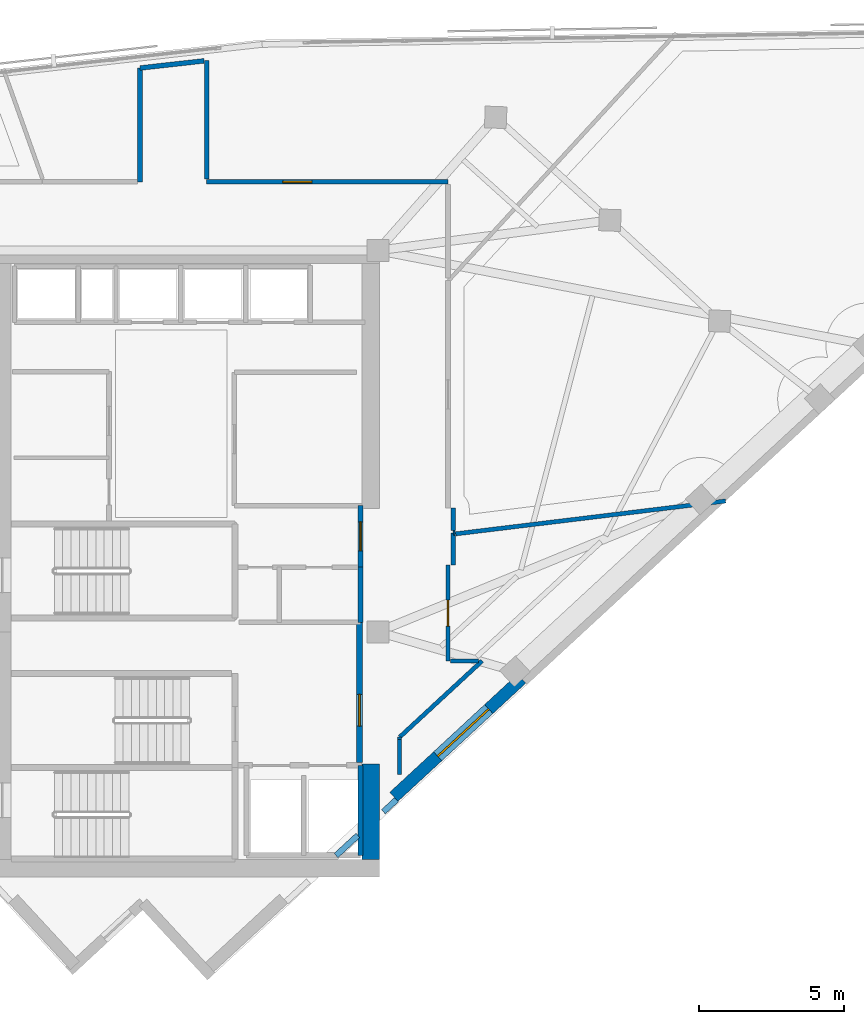
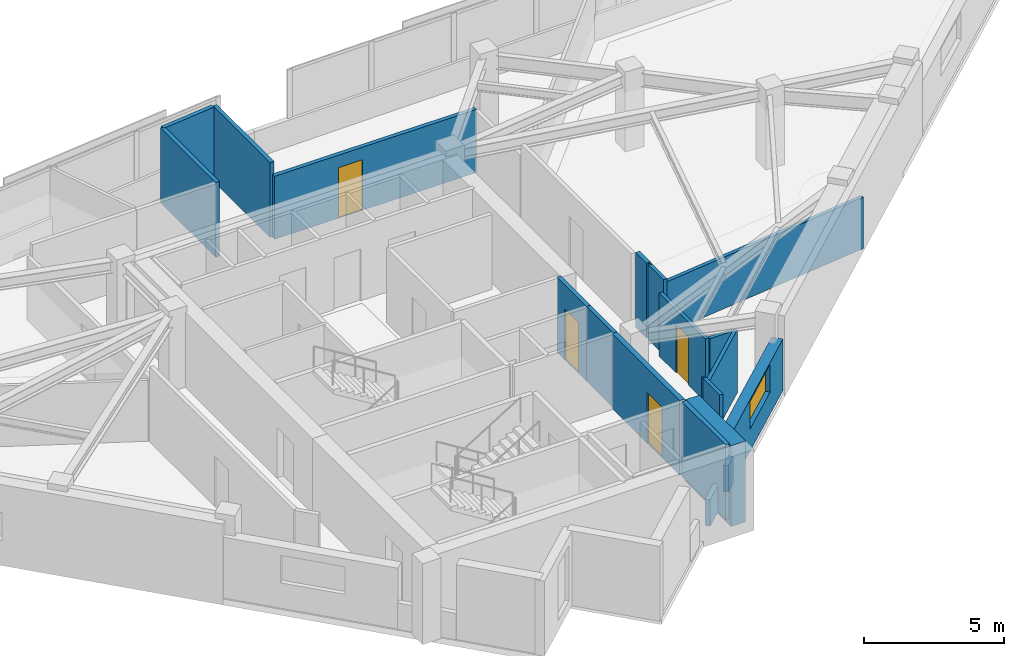
# One storey, part 9 of 12: 21 walls, 4 doors, 1 window, 5 openings.
"""IFC4 building model written with IfcOpenShell, lengths in metres."""

from ifc_helpers import new_model, si_unit, direction, frame, frame_2d, origin, place, context, subcontext, project, spatial, rectangle, extrude, material, layer, layer_set, type_object, element, fill, save


model = new_model("IFC4")

# Units and contexts
model_context = context("Model", 3, precision=1e-05, world=origin(), true_north=direction((0.0, 1.0)))
body_context = subcontext(model_context, "Body", "Model", "MODEL_VIEW")
ifc_project = project(units=[si_unit("LENGTHUNIT", "METRE"), si_unit("AREAUNIT", "SQUARE_METRE"), si_unit("VOLUMEUNIT", "CUBIC_METRE"), si_unit("PLANEANGLEUNIT", "RADIAN"), si_unit("MASSUNIT", "GRAM", prefix="KILO")], contexts=[model_context])

# Site, building, storey
site_placement = place(None, origin())
site = spatial("IfcSite", under=ifc_project, at=site_placement, CompositionType="ELEMENT")
building_placement = place(site_placement, origin())
building = spatial("IfcBuilding", under=site, at=building_placement, Name="Narakoshi Arena Tower", CompositionType="ELEMENT")
storey_placement = place(building_placement, frame((0.0, 0.0, 267.780029296875)))
storey = spatial("IfcBuildingStorey", under=building, at=storey_placement, Name="L73", CompositionType="ELEMENT", Elevation=267.780029296875)

# Wall
ifc_material_1 = material(Name="Concrete C50/60", Category="concrete")
ifc_layer_1 = layer(ifc_material_1, 0.60009765625)
ifc_layer_set_1 = layer_set([ifc_layer_1], Name="Concrete C50/60")
wall_type_1 = type_object("IfcWallType", Name="WL-CORE-600", PredefinedType="SHEAR", material=ifc_layer_set_1)
wall_1_placement = place(storey_placement, frame((85.300048828125, 35.5, -0.260009765625), z_axis=(0.0, 0.0, 1.0), x_axis=(0.0, 1.0, 0.0)))
element("IfcWall", 1, at=wall_1_placement, inside=storey, type_object=wall_type_1, Name="L73 Central Core Shear Wall CW-APX-E", PredefinedType="SHEAR", context=body_context, shape_type="SweptSolid", body=[
    extrude(rectangle(XDim=3.300048828125, YDim=0.60009765625, at=frame_2d((1.64990234375, 0.0))), origin(), (0.0, 0.0, 1.0), 3.52001953125),
])

# Wall, opening, door
ifc_material_2 = material(Name="Gypsum plasterboard fire-rated partition")
ifc_layer_2 = layer(ifc_material_2, 0.1650390625)
ifc_layer_set_2 = layer_set([ifc_layer_2], Name="Gypsum plasterboard fire-rated partition")
wall_type_2 = type_object("IfcWallType", Name="WL-CORR-165", PredefinedType="PARTITIONING", material=ifc_layer_set_2)
wall_2_placement = place(storey_placement, frame((84.949951171875, 45.580078125, 0.0), z_axis=(0.0, 0.0, 1.0), x_axis=(0.0, 1.0, 0.0)))
wall_2 = element("IfcWall", 2, at=wall_2_placement, inside=storey, type_object=wall_type_2, Name="L73 Core Wall CPAS-E", PredefinedType="PARTITIONING", context=body_context, shape_type="SweptSolid", body=[
    extrude(rectangle(XDim=2.119873046875, YDim=0.1650390625, at=frame_2d((1.06005859375, 0.0))), origin(), (0.0, 0.0, 1.0), 3.260009765625),
])
opening_1_placement = place(wall_2_placement, frame((0.56005859375, 0.0, 0.0)))
opening_1 = element("IfcOpeningElement", 3, at=opening_1_placement, cuts=wall_2, Name="Opening D-06", PredefinedType="OPENING", context=body_context, shape_type="SweptSolid", body=[
    extrude(rectangle(XDim=1.0, YDim=2.199951171875, at=frame_2d((0.5, 1.10009765625))), frame((0.0, 0.092529296875, 0.0), z_axis=(0.0, -1.0, 0.0), x_axis=(1.0, 0.0, 0.0)), (0.0, 0.0, 1.0), 0.18505859375),
])
ifc_material_3 = material(Name="Stained oak solid-core timber", Category="wood")
door_type_1 = type_object("IfcDoorType", Name="DR-OFF-1000", OperationType="NOTDEFINED", PredefinedType="DOOR", material=ifc_material_3)
door_1_placement = place(opening_1_placement, frame((1.0, 0.0, 0.0), z_axis=(0.0, 0.0, 1.0), x_axis=(-1.0, 0.0, 0.0)))
door_1 = element("IfcDoor", 4, at=door_1_placement, inside=storey, type_object=door_type_1, Name="DR-L73-007", OperationType="SINGLE_SWING_LEFT", OverallHeight=2.199951171875, OverallWidth=1.0, PredefinedType="DOOR", context=body_context, shape_type="SweptSolid", body=[
    extrude(rectangle(XDim=1.0, YDim=2.199951171875, at=frame_2d((0.5, 1.10009765625))), frame((0.0, 0.02490234375, 0.0), z_axis=(0.0, -1.0, 0.0), x_axis=(1.0, 0.0, 0.0)), (0.0, 0.0, 1.0), 0.050048828125),
])
fill(opening_1, door_1)

# Wall
wall_3_placement = place(storey_placement, frame((88.14990234375, 46.84130859375, 0.0), z_axis=(0.0, 0.0, 1.0), x_axis=(0.0, 1.0, 0.0)))
element("IfcWall", 5, at=wall_3_placement, inside=storey, type_object=wall_type_2, Name="L73 Corridor Partition 02-2", PredefinedType="PARTITIONING", context=body_context, shape_type="SweptSolid", body=[
    extrude(rectangle(XDim=0.77880859375, YDim=0.1650390625, at=frame_2d((0.389404296875, 0.0))), origin(), (0.0, 0.0, 1.0), 3.260009765625),
])

# Wall, opening, door
wall_4_placement = place(storey_placement, frame((87.966796875, 58.86669921875, 0.0), z_axis=(0.0, 0.0, 1.0), x_axis=(-1.0, 0.0, 0.0)))
wall_4 = element("IfcWall", 6, at=wall_4_placement, inside=storey, type_object=wall_type_2, Name="L73 Corridor Partition 03-1", PredefinedType="PARTITIONING", context=body_context, shape_type="SweptSolid", body=[
    extrude(rectangle(XDim=8.31689453125, YDim=0.1650390625, at=frame_2d((4.158447265625, 0.0))), origin(), (0.0, 0.0, 1.0), 2.744873046875),
])
opening_2_placement = place(wall_4_placement, frame((4.69580078125, 0.0, 0.0)))
opening_2 = element("IfcOpeningElement", 7, at=opening_2_placement, cuts=wall_4, Name="Opening D-06", PredefinedType="OPENING", context=body_context, shape_type="SweptSolid", body=[
    extrude(rectangle(XDim=1.0, YDim=2.199951171875, at=frame_2d((0.5, 1.10009765625))), frame((0.0, 0.092529296875, 0.0), z_axis=(0.0, -1.0, 0.0), x_axis=(1.0, 0.0, 0.0)), (0.0, 0.0, 1.0), 0.18505859375),
])
door_2_placement = place(opening_2_placement, frame((1.0, 0.0, 0.0), z_axis=(0.0, 0.0, 1.0), x_axis=(-1.0, 0.0, 0.0)))
door_2 = element("IfcDoor", 8, at=door_2_placement, inside=storey, type_object=door_type_1, Name="DR-L73-018", OperationType="SINGLE_SWING_LEFT", OverallHeight=2.199951171875, OverallWidth=1.0, PredefinedType="DOOR", context=body_context, shape_type="SweptSolid", body=[
    extrude(rectangle(XDim=1.0, YDim=2.199951171875, at=frame_2d((0.5, 1.10009765625))), frame((0.0, 0.02490234375, 0.0), z_axis=(0.0, -1.0, 0.0), x_axis=(1.0, 0.0, 0.0)), (0.0, 0.0, 1.0), 0.050048828125),
])
fill(opening_2, door_2)

# Walls
wall_5_placement = place(storey_placement, frame((79.64990234375, 58.961181640625, 0.0), z_axis=(0.0, 0.0, 1.0), x_axis=(0.0, 1.0, 0.0)))
element("IfcWall", 9, at=wall_5_placement, inside=storey, type_object=wall_type_2, Name="L73 Corridor Partition 03-2", PredefinedType="PARTITIONING", context=body_context, shape_type="SweptSolid", body=[
    extrude(rectangle(XDim=4.086669921875, YDim=0.1650390625, at=frame_2d((2.04345703125, 0.0))), origin(), (0.0, 0.0, 1.0), 3.260009765625),
])
wall_6_placement = place(storey_placement, frame((77.35009765625, 62.7900390625, 0.0), z_axis=(0.0, 0.0, 1.0), x_axis=(0.0, -1.0, 0.0)))
element("IfcWall", 10, at=wall_6_placement, inside=storey, type_object=wall_type_2, Name="L73 Corridor Partition 03-3", PredefinedType="PARTITIONING", context=body_context, shape_type="SweptSolid", body=[
    extrude(rectangle(XDim=3.92333984375, YDim=0.1650390625, at=frame_2d((1.961669921875, 0.0))), origin(), (0.0, 0.0, 1.0), 3.260009765625),
])
wall_7_placement = place(storey_placement, frame((79.555419921875, 63.037353515625, 0.0), z_axis=(0.0, 0.0, 1.0), x_axis=(-0.993770518254, -0.11144575833, 0.0)))
element("IfcWall", 11, at=wall_7_placement, inside=storey, type_object=wall_type_2, Name="L73 Corridor Partition 03-6", PredefinedType="PARTITIONING", context=body_context, shape_type="SweptSolid", body=[
    extrude(rectangle(XDim=2.21923828125, YDim=0.1650390625, at=frame_2d((1.109619140625, 0.0))), origin(), (0.0, 0.0, 1.0), 3.260009765625),
])
ifc_material_4 = material(Name="Precast concrete C45/55", Category="concrete")
ifc_layer_3 = layer(ifc_material_4, 0.25)
ifc_layer_set_3 = layer_set([ifc_layer_3], Name="Precast concrete C45/55")
wall_type_3 = type_object("IfcWallType", Name="WL-PARA-250", PredefinedType="PARAPET", material=ifc_layer_set_3)
wall_8_placement = place(storey_placement, frame((86.191650390625, 37.56591796875, 0.0), z_axis=(0.0, 0.0, 1.0), x_axis=(-0.734346728958, -0.678774544064, 0.0)))
element("IfcWall", 12, at=wall_8_placement, inside=storey, type_object=wall_type_3, Name="L73 Crown Sill Upstand Parapet 03", PredefinedType="PARAPET", context=body_context, shape_type="SweptSolid", body=[
    extrude(rectangle(XDim=0.614990234375, YDim=0.199951171875, at=frame_2d((0.3076171875, 0.0))), origin(), (0.0, 0.0, 1.0), 1.14990234375),
])
wall_9_placement = place(storey_placement, frame((84.860107421875, 36.3349609375, 0.0), z_axis=(0.0, 0.0, 1.0), x_axis=(-0.734337093013, -0.678784968768, 0.0)))
element("IfcWall", 13, at=wall_9_placement, inside=storey, type_object=wall_type_3, Name="L73 Crown Sill Upstand Parapet 04", PredefinedType="PARAPET", context=body_context, shape_type="SweptSolid", body=[
    extrude(rectangle(XDim=1.02392578125, YDim=0.199951171875, at=frame_2d((0.511962890625, 0.0))), origin(), (0.0, 0.0, 1.0), 1.14990234375),
])

# Wall, opening, window
ifc_layer_4 = layer(ifc_material_4, 0.419921875)
ifc_layer_set_4 = layer_set([ifc_layer_4], Name="Precast concrete C45/55")
wall_type_4 = type_object("IfcWallType", Name="WL-POD-420", PredefinedType="SOLIDWALL", material=ifc_layer_set_4)
wall_10_placement = place(storey_placement, frame((86.10009765625, 37.6650390625, 0.0), z_axis=(0.0, 0.0, 1.0), x_axis=(0.734321413343, 0.678801931277, 0.0)))
wall_10 = element("IfcWall", 14, at=wall_10_placement, inside=storey, type_object=wall_type_4, Name="L73 Architectural Concrete Facade Wall LEGA-2", PredefinedType="SOLIDWALL", context=body_context, shape_type="SweptSolid", body=[
    extrude(rectangle(XDim=6.00244140625, YDim=0.419921875, at=frame_2d((3.001220703125, 0.0))), origin(), (0.0, 0.0, 1.0), 2.244873046875),
])
opening_3_placement = place(wall_10_placement, frame((2.05712890625, 0.0, 0.965087890625)))
opening_3 = element("IfcOpeningElement", 15, at=opening_3_placement, cuts=wall_10, Name="Opening WN-04", PredefinedType="OPENING", context=body_context, shape_type="SweptSolid", body=[
    extrude(rectangle(XDim=2.39990234375, YDim=1.199951171875, at=frame_2d((1.199951171875, 0.60009765625))), frame((0.0, 0.219970703125, 0.0), z_axis=(0.0, -1.0, 0.0), x_axis=(1.0, 0.0, 0.0)), (0.0, 0.0, 1.0), 0.43994140625),
])
ifc_material_5 = material(Name="Bronze-tinted low-E laminated glass", Category="glass")
window_type = type_object("IfcWindowType", Name="WIN-SLT-24x12", PartitioningType="SINGLE_PANEL", PredefinedType="WINDOW", material=ifc_material_5)
window_placement = place(opening_3_placement, origin())
window = element("IfcWindow", 16, at=window_placement, inside=storey, type_object=window_type, Name="L73 LEGA2 Horizontal Slot Window 1", OverallHeight=1.199951171875, OverallWidth=2.39990234375, PartitioningType="SINGLE_PANEL", PredefinedType="WINDOW", context=body_context, shape_type="SweptSolid", body=[
    extrude(rectangle(XDim=2.39990234375, YDim=1.199951171875, at=frame_2d((1.199951171875, 0.60009765625))), frame((0.0, 0.030029296875, 0.0), z_axis=(0.0, -1.0, 0.0), x_axis=(1.0, 0.0, 0.0)), (0.0, 0.0, 1.0), 0.06005859375),
])
fill(opening_3, window)

# Walls
ifc_material_6 = material(Name="Concrete C40/50", Category="concrete")
ifc_layer_5 = layer(ifc_material_6, 0.280029296875)
ifc_layer_set_5 = layer_set([ifc_layer_5], Name="Concrete C40/50")
wall_type_5 = type_object("IfcWallType", Name="WL-RISER-280", PredefinedType="PLUMBINGWALL", material=ifc_layer_set_5)
wall_11_placement = place(storey_placement, frame((84.949951171875, 43.679931640625, 0.0), z_axis=(0.0, 0.0, 1.0), x_axis=(0.0, 1.0, 0.0)))
element("IfcWall", 17, at=wall_11_placement, inside=storey, type_object=wall_type_5, Name="L73 Core Wall RSR-E", PredefinedType="PLUMBINGWALL", context=body_context, shape_type="SweptSolid", body=[
    extrude(rectangle(XDim=1.900146484375, YDim=0.1650390625, at=frame_2d((0.9501953125, 0.0))), origin(), (0.0, 0.0, 1.0), 3.260009765625),
])
ifc_layer_6 = layer(ifc_material_1, 0.35009765625)
ifc_layer_set_6 = layer_set([ifc_layer_6], Name="Concrete C50/60")
wall_type_6 = type_object("IfcWallType", Name="WL-SHAFT-350", PredefinedType="SOLIDWALL", material=ifc_layer_set_6)
wall_12_placement = place(storey_placement, frame((84.949951171875, 35.64990234375, 0.0), z_axis=(0.0, 0.0, 1.0), x_axis=(0.0, 1.0, 0.0)))
element("IfcWall", 18, at=wall_12_placement, inside=storey, type_object=wall_type_6, Name="L73 Core Wall FF-E", PredefinedType="SOLIDWALL", context=body_context, shape_type="SweptSolid", body=[
    extrude(rectangle(XDim=3.10009765625, YDim=0.179931640625, at=frame_2d((1.550048828125, 0.0))), origin(), (0.0, 0.0, 1.0), 3.260009765625),
])

# Wall, opening, door
wall_13_placement = place(storey_placement, frame((84.919921875, 38.85009765625, 0.0), z_axis=(0.0, 0.0, 1.0), x_axis=(0.0, 1.0, 0.0)))
wall_13 = element("IfcWall", 19, at=wall_13_placement, inside=storey, type_object=wall_type_6, Name="L73 Core Wall FFLOB-E", PredefinedType="SOLIDWALL", context=body_context, shape_type="SweptSolid", body=[
    extrude(rectangle(XDim=4.829833984375, YDim=0.199951171875, at=frame_2d((2.4150390625, 0.0))), origin(), (0.0, 0.0, 1.0), 3.260009765625),
])
opening_4_placement = place(wall_13_placement, frame((1.25, 0.0, 0.0)))
opening_4 = element("IfcOpeningElement", 20, at=opening_4_placement, cuts=wall_13, Name="Opening D-04", PredefinedType="OPENING", context=body_context, shape_type="SweptSolid", body=[
    extrude(rectangle(XDim=1.10009765625, YDim=2.199951171875, at=frame_2d((0.550048828125, 1.10009765625))), frame((0.0, 0.10986328125, 0.0), z_axis=(0.0, -1.0, 0.0), x_axis=(1.0, 0.0, 0.0)), (0.0, 0.0, 1.0), 0.219970703125),
])
ifc_material_7 = material(Name="Painted galvanized steel", Category="steel")
door_type_2 = type_object("IfcDoorType", Name="DR-FFL-1100", OperationType="NOTDEFINED", PredefinedType="DOOR", material=ifc_material_7)
door_3_placement = place(opening_4_placement, frame((1.10009765625, 0.0, 0.0), z_axis=(0.0, 0.0, 1.0), x_axis=(-1.0, 0.0, 0.0)))
door_3 = element("IfcDoor", 21, at=door_3_placement, inside=storey, type_object=door_type_2, Name="DR-L73-005", OperationType="SINGLE_SWING_RIGHT", OverallHeight=2.199951171875, OverallWidth=1.10009765625, PredefinedType="DOOR", context=body_context, shape_type="SweptSolid", body=[
    extrude(rectangle(XDim=1.10009765625, YDim=2.199951171875, at=frame_2d((0.550048828125, 1.10009765625))), frame((0.0, 0.02490234375, 0.0), z_axis=(0.0, -1.0, 0.0), x_axis=(1.0, 0.0, 0.0)), (0.0, 0.0, 1.0), 0.050048828125),
])
fill(opening_4, door_3)

# Wall
ifc_material_8 = material(Name="Moisture-resistant cement-board partition")
ifc_layer_7 = layer(ifc_material_8, 0.14501953125)
ifc_layer_set_7 = layer_set([ifc_layer_7], Name="Moisture-resistant cement-board partition")
wall_type_7 = type_object("IfcWallType", Name="WL-WET-145", PredefinedType="PARTITIONING", material=ifc_layer_set_7)
wall_14_placement = place(storey_placement, frame((86.300048828125, 39.722412109375, 0.0), z_axis=(0.0, 0.0, 1.0), x_axis=(0.734312402088, 0.678811679436, 0.0)))
element("IfcWall", 22, at=wall_14_placement, inside=storey, type_object=wall_type_7, Name="L73 Corridor Partition 01-1", PredefinedType="PARTITIONING", context=body_context, shape_type="SweptSolid", body=[
    extrude(rectangle(XDim=3.87109375, YDim=0.14501953125, at=frame_2d((1.935546875, 0.0))), origin(), (0.0, 0.0, 1.0), 2.744873046875),
])

# Wall, opening, door
wall_15_placement = place(storey_placement, frame((87.966796875, 42.35009765625, 0.0), z_axis=(0.0, 0.0, 1.0), x_axis=(0.0, 1.0, 0.0)))
wall_15 = element("IfcWall", 23, at=wall_15_placement, inside=storey, type_object=wall_type_7, Name="L73 Corridor Partition 01-2", PredefinedType="PARTITIONING", context=body_context, shape_type="SweptSolid", body=[
    extrude(rectangle(XDim=3.2998046875, YDim=0.14501953125, at=frame_2d((1.64990234375, 0.0))), origin(), (0.0, 0.0, 1.0), 2.744873046875),
])
opening_5_placement = place(wall_15_placement, frame((1.199951171875, 0.0, 0.0)))
opening_5 = element("IfcOpeningElement", 24, at=opening_5_placement, cuts=wall_15, Name="Opening D-08", PredefinedType="OPENING", context=body_context, shape_type="SweptSolid", body=[
    extrude(rectangle(XDim=0.89990234375, YDim=2.10009765625, at=frame_2d((0.449951171875, 1.050048828125))), frame((0.0, 0.08251953125, 0.0), z_axis=(0.0, -1.0, 0.0), x_axis=(1.0, 0.0, 0.0)), (0.0, 0.0, 1.0), 0.1650390625),
])
ifc_material_9 = material(Name="Moisture-resistant laminate timber", Category="wood")
door_type_3 = type_object("IfcDoorType", Name="DR-WC-900", OperationType="NOTDEFINED", PredefinedType="DOOR", material=ifc_material_9)
door_4_placement = place(opening_5_placement, frame((0.89990234375, 0.0, 0.0), z_axis=(0.0, 0.0, 1.0), x_axis=(-1.0, 0.0, 0.0)))
door_4 = element("IfcDoor", 25, at=door_4_placement, inside=storey, type_object=door_type_3, Name="DR-L73-016", OperationType="SINGLE_SWING_RIGHT", OverallHeight=2.10009765625, OverallWidth=0.89990234375, PredefinedType="DOOR", context=body_context, shape_type="SweptSolid", body=[
    extrude(rectangle(XDim=0.89990234375, YDim=2.10009765625, at=frame_2d((0.449951171875, 1.050048828125))), frame((0.0, 0.02490234375, 0.0), z_axis=(0.0, -1.0, 0.0), x_axis=(1.0, 0.0, 0.0)), (0.0, 0.0, 1.0), 0.050048828125),
])
fill(opening_5, door_4)

# Walls
wall_16_placement = place(storey_placement, frame((89.01806640625, 42.35009765625, 0.0), z_axis=(0.0, 0.0, 1.0), x_axis=(-1.0, 0.0, 0.0)))
element("IfcWall", 26, at=wall_16_placement, inside=storey, type_object=wall_type_7, Name="L73 Corridor Partition 01-3", PredefinedType="PARTITIONING", context=body_context, shape_type="SweptSolid", body=[
    extrude(rectangle(XDim=0.966796875, YDim=0.14501953125, at=frame_2d((0.4833984375, 0.0))), origin(), (0.0, 0.0, 1.0), 2.744873046875),
])
wall_17_placement = place(storey_placement, frame((88.14990234375, 45.64990234375, 0.0), z_axis=(0.0, 0.0, 1.0), x_axis=(0.0, 1.0, 0.0)))
element("IfcWall", 27, at=wall_17_placement, inside=storey, type_object=wall_type_7, Name="L73 Corridor Partition 01-4", PredefinedType="PARTITIONING", context=body_context, shape_type="SweptSolid", body=[
    extrude(rectangle(XDim=1.106201171875, YDim=0.14501953125, at=frame_2d((0.55322265625, 0.0))), origin(), (0.0, 0.0, 1.0), 3.260009765625),
])
wall_18_placement = place(storey_placement, frame((86.300048828125, 39.640625, 0.0), z_axis=(0.0, 0.0, 1.0), x_axis=(0.0, 1.0, 0.0)))
element("IfcWall", 28, at=wall_18_placement, inside=storey, type_object=wall_type_7, Name="L73 Corridor Partition 01-5", PredefinedType="PARTITIONING", context=body_context, shape_type="SweptSolid", body=[
    extrude(rectangle(XDim=0.081787109375, YDim=0.14501953125, at=frame_2d((0.041015625, 0.0))), origin(), (0.0, 0.0, 1.0), 3.260009765625),
])
wall_19_placement = place(storey_placement, frame((88.14990234375, 46.756103515625, 0.0), z_axis=(0.0, 0.0, 1.0), x_axis=(0.992153283358, 0.125027446277, 0.0)))
element("IfcWall", 29, at=wall_19_placement, inside=storey, type_object=wall_type_7, Name="L73 Corridor Partition 01-6", PredefinedType="PARTITIONING", context=body_context, shape_type="SweptSolid", body=[
    extrude(rectangle(XDim=0.060546875, YDim=0.14501953125, at=frame_2d((0.0302734375, 0.0))), origin(), (0.0, 0.0, 1.0), 3.260009765625),
])
wall_20_placement = place(storey_placement, frame((88.234619140625, 46.730712890625, 0.0), z_axis=(0.0, 0.0, 1.0), x_axis=(0.992670746965, 0.120850271491, 0.0)))
element("IfcWall", 30, at=wall_20_placement, inside=storey, type_object=wall_type_7, Name="L73 Inter-Room Partition 01-02", PredefinedType="PARTITIONING", context=body_context, shape_type="SweptSolid", body=[
    extrude(rectangle(XDim=9.37158203125, YDim=0.14501953125, at=frame_2d((4.685791015625, 0.0))), origin(), (0.0, 0.0, 1.0), 2.244873046875),
])
wall_21_placement = place(storey_placement, frame((86.300048828125, 38.435546875, 0.0), z_axis=(0.0, 0.0, 1.0), x_axis=(0.0, 1.0, 0.0)))
element("IfcWall", 31, at=wall_21_placement, inside=storey, type_object=wall_type_7, Name="L73 Room Enclosure Partition 01-1", PredefinedType="PARTITIONING", context=body_context, shape_type="SweptSolid", body=[
    extrude(rectangle(XDim=1.205078125, YDim=0.14501953125, at=frame_2d((0.6025390625, 0.0))), origin(), (0.0, 0.0, 1.0), 3.260009765625),
])

save(model, "model.ifc")
